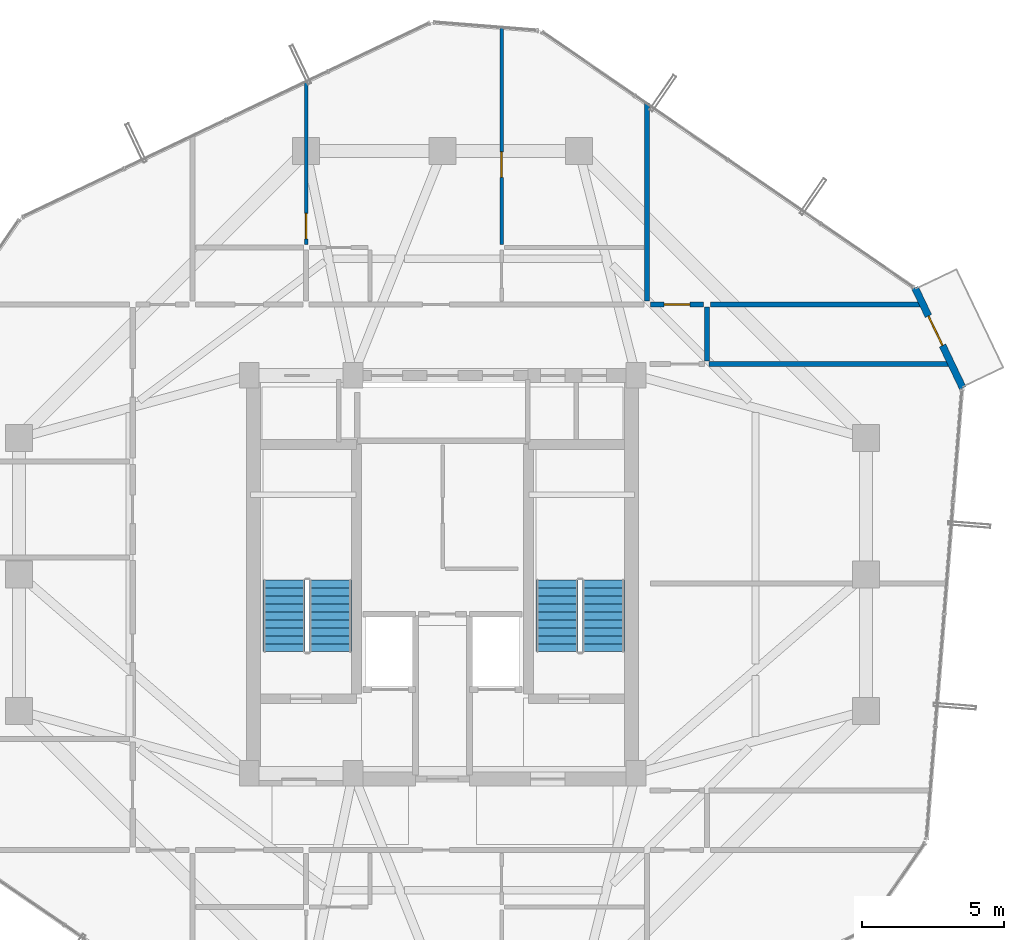
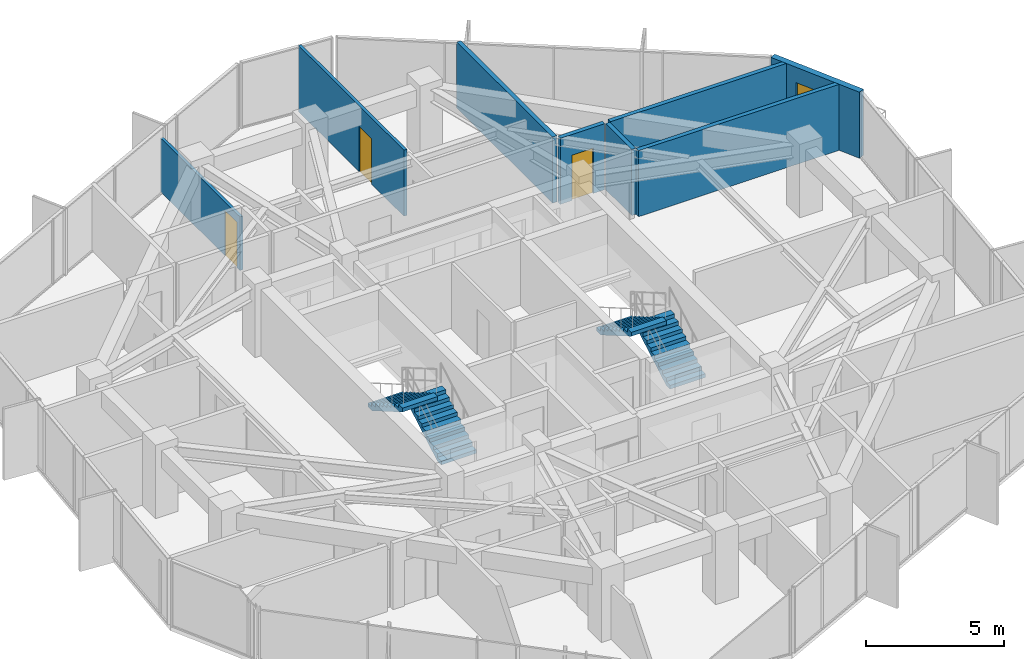
# One storey, part 27 of 29: 8 walls, 4 doors, 4 stair flights, 4 openings, 2 elements without a shape of their own.
"""IFC4 building model written with IfcOpenShell, lengths in metres."""

from ifc_helpers import new_model, si_unit, direction, frame, frame_2d, origin, place, context, subcontext, project, spatial, polyline, rectangle, outline, extrude, source, transform, mapped, material, layer, layer_set, type_object, element, fill, aggregate, save


model = new_model("IFC4")

# Units and contexts
model_context = context("Model", 3, precision=1e-05, world=origin(), true_north=direction((0.0, 1.0)))
body_context = subcontext(model_context, "Body", "Model", "MODEL_VIEW")
ifc_project = project(units=[si_unit("LENGTHUNIT", "METRE"), si_unit("AREAUNIT", "SQUARE_METRE"), si_unit("VOLUMEUNIT", "CUBIC_METRE"), si_unit("PLANEANGLEUNIT", "RADIAN"), si_unit("MASSUNIT", "GRAM", prefix="KILO")], contexts=[model_context])

# Site, building, storey
site_placement = place(None, origin())
site = spatial("IfcSite", under=ifc_project, at=site_placement, CompositionType="ELEMENT")
building_placement = place(site_placement, origin())
building = spatial("IfcBuilding", under=site, at=building_placement, Name="Veraguas Prism Commons", CompositionType="ELEMENT")
storey_placement = place(building_placement, frame((0.0, 0.0, 222.14990234375)))
storey = spatial("IfcBuildingStorey", under=building, at=storey_placement, Name="L63", CompositionType="ELEMENT", Elevation=222.14990234375)

# Walls
ifc_material_1 = material(Name="Autoclaved aerated masonry block 10 MPa", Category="masonry")
ifc_layer_1 = layer(ifc_material_1, 0.179931640625, Name="Corridor and Inter-Tenancy Partition 180", Category="masonry")
ifc_layer_set_1 = layer_set([ifc_layer_1], Name="Autoclaved aerated masonry block 10 MPa")
wall_type_1 = type_object("IfcWallType", Name="Corridor and Inter-Tenancy Partition 180", PredefinedType="PARTITIONING", material=ifc_layer_set_1)
wall_1_placement = place(storey_placement, frame((31.199951171875, 33.6201171875, 0.0), z_axis=(0.0, 0.0, 1.0), x_axis=(0.0, 1.0, 0.0)))
element("IfcWall", 1, at=wall_1_placement, inside=storey, type_object=wall_type_1, Name="WL-L63-PT014", PredefinedType="PARTITIONING", context=body_context, shape_type="SweptSolid", body=[
    extrude(rectangle(XDim=6.958984375, YDim=0.179931640625, at=frame_2d((3.4794921875, 0.0))), origin(), (0.0, 0.0, 1.0), 2.93017578125),
])
wall_2_placement = place(storey_placement, frame((33.300048828125, 31.5, 0.0), z_axis=(0.0, 0.0, 1.0), x_axis=(0.0, 1.0, 0.0)))
element("IfcWall", 2, at=wall_2_placement, inside=storey, type_object=wall_type_1, Name="WL-L63-PT036", PredefinedType="PARTITIONING", context=body_context, shape_type="SweptSolid", body=[
    extrude(rectangle(XDim=1.89990234375, YDim=0.179931640625, at=frame_2d((0.949951171875, 0.0))), origin(), (0.0, 0.0, 1.0), 2.93017578125),
])
wall_3_placement = place(storey_placement, frame((33.3798828125, 31.39990234375, 0.0), z_axis=(0.0, 0.0, 1.0), x_axis=(1.0, 0.0, 0.0)))
element("IfcWall", 3, at=wall_3_placement, inside=storey, type_object=wall_type_1, Name="WL-L63-PT040", PredefinedType="PARTITIONING", context=body_context, shape_type="SweptSolid", body=[
    extrude(rectangle(XDim=8.55419921875, YDim=0.179931640625, at=frame_2d((4.277099609375, 0.0))), origin(), (0.0, 0.0, 1.0), 2.93017578125),
])
wall_4_placement = place(storey_placement, frame((33.419921875, 33.5, 0.0), z_axis=(0.0, 0.0, 1.0), x_axis=(1.0, 0.0, 0.0)))
element("IfcWall", 4, at=wall_4_placement, inside=storey, type_object=wall_type_1, Name="WL-L63-PT046", PredefinedType="PARTITIONING", context=body_context, shape_type="SweptSolid", body=[
    extrude(rectangle(XDim=7.51318359375, YDim=0.179931640625, at=frame_2d((3.756591796875, 0.0))), origin(), (0.0, 0.0, 1.0), 2.93017578125),
])

# Wall, opening, door
wall_5_placement = place(storey_placement, frame((31.320068359375, 33.5, 0.0), z_axis=(0.0, 0.0, 1.0), x_axis=(1.0, 0.0, 0.0)))
wall_5 = element("IfcWall", 5, at=wall_5_placement, inside=storey, type_object=wall_type_1, Name="WL-L63-PT047", PredefinedType="PARTITIONING", context=body_context, shape_type="SweptSolid", body=[
    extrude(rectangle(XDim=1.85986328125, YDim=0.179931640625, at=frame_2d((0.929931640625, 0.0))), origin(), (0.0, 0.0, 1.0), 2.93017578125),
])
opening_1_placement = place(wall_5_placement, frame((0.47998046875, 0.0, 0.0)))
opening_1 = element("IfcOpeningElement", 6, at=opening_1_placement, cuts=wall_5, Name="Opening DR-14", PredefinedType="OPENING", context=body_context, shape_type="SweptSolid", body=[
    extrude(rectangle(XDim=0.89990234375, YDim=2.010009765625, at=frame_2d((0.449951171875, 1.0048828125))), frame((0.0, 0.099853515625, 0.0), z_axis=(0.0, -1.0, 0.0), x_axis=(1.0, 0.0, 0.0)), (0.0, 0.0, 1.0), 0.199951171875),
])
ifc_material_2 = material(Name="Steel fire-rated door assembly", Category="steel")
door_type_1 = type_object("IfcDoorType", Name="Core Service Room Fire Door 900x2010", OperationType="NOTDEFINED", PredefinedType="DOOR", material=ifc_material_2)
shared_shape_1 = source(origin(), body_context, "Body", "SweptSolid", [
    extrude(rectangle(XDim=0.89990234375, YDim=2.010009765625, at=frame_2d((0.449951171875, 1.0048828125))), frame((0.0, 0.02490234375, 0.0), z_axis=(0.0, -1.0, 0.0), x_axis=(1.0, 0.0, 0.0)), (0.0, 0.0, 1.0), 0.050048828125),
])
door_1_placement = place(opening_1_placement, origin())
door_1 = element("IfcDoor", 7, at=door_1_placement, inside=storey, type_object=door_type_1, Name="Residents Cycle and Pram Store NE Door", OperationType="SINGLE_SWING_LEFT", OverallHeight=2.010009765625, OverallWidth=0.89990234375, PredefinedType="DOOR", context=body_context, shape_type="MappedRepresentation", body=[
    mapped(shared_shape_1, transform((0.0, 0.0, 0.0), scale=1.0)),
])
fill(opening_1, door_1)

ifc_material_3 = material(Name="Precast concrete C40/50", Category="concrete")
ifc_layer_2 = layer(ifc_material_3, 0.25, Name="External Loggia and Portal Wall 250", Category="concrete")
ifc_layer_set_2 = layer_set([ifc_layer_2], Name="Precast concrete C40/50")
wall_type_2 = type_object("IfcWallType", Name="External Loggia and Portal Wall 250", PredefinedType="SOLIDWALL", material=ifc_layer_set_2)
wall_6_placement = place(storey_placement, frame((42.3037109375, 30.554443359375, 0.0), z_axis=(0.0, 0.0, 1.0), x_axis=(-0.43021923284, 0.902724438406, 0.0)))
wall_6 = element("IfcWall", 8, at=wall_6_placement, inside=storey, type_object=wall_type_2, Name="Corner Loggia Wall L63-C1", PredefinedType="SOLIDWALL", context=body_context, shape_type="SweptSolid", body=[
    extrude(rectangle(XDim=3.91455078125, YDim=0.25, at=frame_2d((1.957275390625, 0.0))), origin(), (0.0, 0.0, 1.0), 2.93017578125),
])
opening_2_placement = place(wall_6_placement, frame((1.659912109375, 0.0, 0.0)))
opening_2 = element("IfcOpeningElement", 9, at=opening_2_placement, cuts=wall_6, Name="Opening DR-10", PredefinedType="OPENING", context=body_context, shape_type="SweptSolid", body=[
    extrude(rectangle(XDim=1.14990234375, YDim=2.25, at=frame_2d((0.574951171875, 1.125))), frame((0.0, 0.135009765625, 0.0), z_axis=(0.0, -1.0, 0.0), x_axis=(1.0, 0.0, 0.0)), (0.0, 0.0, 1.0), 0.27001953125),
])
ifc_material_4 = material(Name="Anodised aluminium EN AW-6063 T6", Category="aluminium")
door_type_2 = type_object("IfcDoorType", Name="Glazed Loggia and Terrace Door 1150x2250", OperationType="NOTDEFINED", PredefinedType="DOOR", material=ifc_material_4)
shared_shape_2 = source(origin(), body_context, "Body", "SweptSolid", [
    extrude(rectangle(XDim=1.14990234375, YDim=2.25, at=frame_2d((0.574951171875, 1.125))), frame((0.0, 0.02490234375, 0.0), z_axis=(0.0, -1.0, 0.0), x_axis=(1.0, 0.0, 0.0)), (0.0, 0.0, 1.0), 0.050048828125),
])
door_2_placement = place(opening_2_placement, frame((1.14990234375, 0.0, 0.0), z_axis=(0.0, 0.0, 1.0), x_axis=(-1.0, 0.0, 0.0)))
door_2 = element("IfcDoor", 10, at=door_2_placement, inside=storey, type_object=door_type_2, Name="Recessed Loggia Door L63-C1", OperationType="SINGLE_SWING_LEFT", OverallHeight=2.25, OverallWidth=1.14990234375, PredefinedType="DOOR", context=body_context, shape_type="MappedRepresentation", body=[
    mapped(shared_shape_2, transform((0.0, 0.0, 0.0), scale=1.0)),
])
fill(opening_2, door_2)

ifc_material_5 = material(Name="Lightweight acoustic gypsum board")
ifc_layer_3 = layer(ifc_material_5, 0.125, Name="Internal Apartment Room Partition 125")
ifc_layer_set_3 = layer_set([ifc_layer_3], Name="Lightweight acoustic gypsum board")
wall_type_3 = type_object("IfcWallType", Name="Internal Apartment Room Partition 125", PredefinedType="PARTITIONING", material=ifc_layer_set_3)
wall_7_placement = place(storey_placement, frame((19.199951171875, 35.60009765625, 0.0), z_axis=(0.0, 0.0, 1.0), x_axis=(0.0, 1.0, 0.0)))
wall_7 = element("IfcWall", 11, at=wall_7_placement, inside=storey, type_object=wall_type_3, Name="WL-L63-PT019", PredefinedType="PARTITIONING", context=body_context, shape_type="SweptSolid", body=[
    extrude(rectangle(XDim=5.76416015625, YDim=0.125, at=frame_2d((2.882080078125, 0.0))), origin(), (0.0, 0.0, 1.0), 2.384033203125),
])
opening_3_placement = place(wall_7_placement, frame((0.199951171875, 0.0, 0.0)))
opening_3 = element("IfcOpeningElement", 12, at=opening_3_placement, cuts=wall_7, Name="Opening DR-02", PredefinedType="OPENING", context=body_context, shape_type="SweptSolid", body=[
    extrude(rectangle(XDim=0.89990234375, YDim=2.010009765625, at=frame_2d((0.449951171875, 1.0048828125))), frame((0.0, 0.072509765625, 0.0), z_axis=(0.0, -1.0, 0.0), x_axis=(1.0, 0.0, 0.0)), (0.0, 0.0, 1.0), 0.14501953125),
])
ifc_material_6 = material(Name="Timber solid core hardwood", Category="wood")
door_type_3 = type_object("IfcDoorType", Name="Internal Habitable Room Door 900x2010", OperationType="NOTDEFINED", PredefinedType="DOOR", material=ifc_material_6)
door_3_placement = place(opening_3_placement, origin())
door_3 = element("IfcDoor", 13, at=door_3_placement, inside=storey, type_object=door_type_3, Name="Flat 63B Bedroom 2 Door", OperationType="SINGLE_SWING_LEFT", OverallHeight=2.010009765625, OverallWidth=0.89990234375, PredefinedType="DOOR", context=body_context, shape_type="MappedRepresentation", body=[
    mapped(shared_shape_1, transform((0.0, 0.0, 0.0), scale=1.0)),
])
fill(opening_3, door_3)

wall_8_placement = place(storey_placement, frame((26.080078125, 35.60009765625, 0.0), z_axis=(0.0, 0.0, 1.0), x_axis=(0.0, 1.0, 0.0)))
wall_8 = element("IfcWall", 14, at=wall_8_placement, inside=storey, type_object=wall_type_3, Name="WL-L63-PT024", PredefinedType="PARTITIONING", context=body_context, shape_type="SweptSolid", body=[
    extrude(rectangle(XDim=7.6689453125, YDim=0.125, at=frame_2d((3.83447265625, 0.0))), origin(), (0.0, 0.0, 1.0), 2.93017578125),
])
opening_4_placement = place(wall_8_placement, frame((2.365478515625, 0.0, 0.0)))
opening_4 = element("IfcOpeningElement", 15, at=opening_4_placement, cuts=wall_8, Name="Opening DR-02", PredefinedType="OPENING", context=body_context, shape_type="SweptSolid", body=[
    extrude(rectangle(XDim=0.89990234375, YDim=2.010009765625, at=frame_2d((0.449951171875, 1.0048828125))), frame((0.0, 0.072509765625, 0.0), z_axis=(0.0, -1.0, 0.0), x_axis=(1.0, 0.0, 0.0)), (0.0, 0.0, 1.0), 0.14501953125),
])
door_4_placement = place(opening_4_placement, origin())
door_4 = element("IfcDoor", 16, at=door_4_placement, inside=storey, type_object=door_type_3, Name="Flat 63B Bedroom 1 Door", OperationType="SINGLE_SWING_RIGHT", OverallHeight=2.010009765625, OverallWidth=0.89990234375, PredefinedType="DOOR", context=body_context, shape_type="MappedRepresentation", body=[
    mapped(shared_shape_1, transform((0.0, 0.0, 0.0), scale=1.0)),
])
fill(opening_4, door_4)

# Stair, stair flights
ifc_material_7 = material(Name="Precast concrete C45/55", Category="concrete")
stair_type = type_object("IfcStairType", Name="Dogleg Core Stair 1480W 20R 05", PredefinedType="HALF_TURN_STAIR", material=ifc_material_7)
stair_1_placement = place(storey_placement, origin())
stair_1 = element("IfcStair", 17, at=stair_1_placement, inside=storey, type_object=stair_type, Name="Protected Exit Stair ST-01 L63", PredefinedType="HALF_TURN_STAIR")
stair_flight_type = type_object("IfcStairFlightType", Name="Precast Stair Flight 1480W 10R 05", PredefinedType="STRAIGHT", material=ifc_material_7)
stair_flight_1_placement = place(storey_placement, frame((20.06005859375, 21.280029296875, 0.0), z_axis=(0.0, 0.0, 1.0), x_axis=(0.0, 1.0, 0.0)))
stair_flight_1 = element("IfcStairFlight", 18, at=stair_flight_1_placement, type_object=stair_flight_type, Name="ST-05 Flight 1", NumberOfRisers=10, NumberOfTreads=9, PredefinedType="STRAIGHT", RiserHeight=0.1625, TreadLength=0.28, context=body_context, shape_type="SweptSolid", body=[
    extrude(outline(polyline([(0.0, 0.0), (0.0, 0.16259765625), (0.280029296875, 0.16259765625), (0.280029296875, 0.324951171875), (0.56005859375, 0.324951171875), (0.56005859375, 0.487548828125), (0.840087890625, 0.487548828125), (0.840087890625, 0.64990234375), (1.1201171875, 0.64990234375), (1.1201171875, 0.8125), (1.39990234375, 0.8125), (1.39990234375, 0.97509765625), (1.679931640625, 0.97509765625), (1.679931640625, 1.137451171875), (1.9599609375, 1.137451171875), (1.9599609375, 1.300048828125), (2.239990234375, 1.300048828125), (2.239990234375, 1.46240234375), (2.52001953125, 1.46240234375), (2.52001953125, 1.625), (2.52001953125, 1.2890625), (0.298583984375, 0.0), (0.0, 0.0)])), frame((0.0, 0.739990234375, 0.0), z_axis=(0.0, -1.0, 0.0), x_axis=(1.0, 0.0, 0.0)), (0.0, 0.0, 1.0), 1.47998046875),
])
stair_flight_2_placement = place(storey_placement, frame((18.429931640625, 23.800048828125, 1.625), z_axis=(0.0, 0.0, 1.0), x_axis=(0.0, -1.0, 0.0)))
stair_flight_2 = element("IfcStairFlight", 19, at=stair_flight_2_placement, type_object=stair_flight_type, Name="ST-05 Flight 2", NumberOfRisers=10, NumberOfTreads=9, PredefinedType="STRAIGHT", RiserHeight=0.1625, TreadLength=0.28, context=body_context, shape_type="SweptSolid", body=[
    extrude(outline(polyline([(0.0, 0.0), (0.0, 0.16259765625), (0.280029296875, 0.16259765625), (0.280029296875, 0.324951171875), (0.56005859375, 0.324951171875), (0.56005859375, 0.487548828125), (0.840087890625, 0.487548828125), (0.840087890625, 0.64990234375), (1.1201171875, 0.64990234375), (1.1201171875, 0.8125), (1.39990234375, 0.8125), (1.39990234375, 0.97509765625), (1.679931640625, 0.97509765625), (1.679931640625, 1.137451171875), (1.9599609375, 1.137451171875), (1.9599609375, 1.300048828125), (2.239990234375, 1.300048828125), (2.239990234375, 1.46240234375), (2.52001953125, 1.46240234375), (2.52001953125, 1.625), (2.52001953125, 1.2890625), (0.298583984375, 0.0), (0.0, 0.0)])), frame((0.0, 0.739990234375, 0.0), z_axis=(0.0, -1.0, 0.0), x_axis=(1.0, 0.0, 0.0)), (0.0, 0.0, 1.0), 1.47998046875),
])
aggregate(stair_1, [stair_flight_1, stair_flight_2])

stair_2_placement = place(storey_placement, origin())
stair_2 = element("IfcStair", 20, at=stair_2_placement, inside=storey, type_object=stair_type, Name="Protected Exit Stair ST-02 L63", PredefinedType="HALF_TURN_STAIR")
stair_flight_3_placement = place(storey_placement, frame((29.659912109375, 21.280029296875, 0.0), z_axis=(0.0, 0.0, 1.0), x_axis=(0.0, 1.0, 0.0)))
stair_flight_3 = element("IfcStairFlight", 21, at=stair_flight_3_placement, type_object=stair_flight_type, Name="ST-05 Flight 1", NumberOfRisers=10, NumberOfTreads=9, PredefinedType="STRAIGHT", RiserHeight=0.1625, TreadLength=0.28, context=body_context, shape_type="SweptSolid", body=[
    extrude(outline(polyline([(0.0, 0.0), (0.0, 0.16259765625), (0.280029296875, 0.16259765625), (0.280029296875, 0.324951171875), (0.56005859375, 0.324951171875), (0.56005859375, 0.487548828125), (0.840087890625, 0.487548828125), (0.840087890625, 0.64990234375), (1.1201171875, 0.64990234375), (1.1201171875, 0.8125), (1.39990234375, 0.8125), (1.39990234375, 0.97509765625), (1.679931640625, 0.97509765625), (1.679931640625, 1.137451171875), (1.9599609375, 1.137451171875), (1.9599609375, 1.300048828125), (2.239990234375, 1.300048828125), (2.239990234375, 1.46240234375), (2.52001953125, 1.46240234375), (2.52001953125, 1.625), (2.52001953125, 1.2890625), (0.298583984375, 0.0), (0.0, 0.0)])), frame((0.0, 0.739990234375, 0.0), z_axis=(0.0, -1.0, 0.0), x_axis=(1.0, 0.0, 0.0)), (0.0, 0.0, 1.0), 1.47998046875),
])
stair_flight_4_placement = place(storey_placement, frame((28.030029296875, 23.800048828125, 1.625), z_axis=(0.0, 0.0, 1.0), x_axis=(0.0, -1.0, 0.0)))
stair_flight_4 = element("IfcStairFlight", 22, at=stair_flight_4_placement, type_object=stair_flight_type, Name="ST-05 Flight 2", NumberOfRisers=10, NumberOfTreads=9, PredefinedType="STRAIGHT", RiserHeight=0.1625, TreadLength=0.28, context=body_context, shape_type="SweptSolid", body=[
    extrude(outline(polyline([(0.0, 0.0), (0.0, 0.16259765625), (0.280029296875, 0.16259765625), (0.280029296875, 0.324951171875), (0.56005859375, 0.324951171875), (0.56005859375, 0.487548828125), (0.840087890625, 0.487548828125), (0.840087890625, 0.64990234375), (1.1201171875, 0.64990234375), (1.1201171875, 0.8125), (1.39990234375, 0.8125), (1.39990234375, 0.97509765625), (1.679931640625, 0.97509765625), (1.679931640625, 1.137451171875), (1.9599609375, 1.137451171875), (1.9599609375, 1.300048828125), (2.239990234375, 1.300048828125), (2.239990234375, 1.46240234375), (2.52001953125, 1.46240234375), (2.52001953125, 1.625), (2.52001953125, 1.2890625), (0.298583984375, 0.0), (0.0, 0.0)])), frame((0.0, 0.739990234375, 0.0), z_axis=(0.0, -1.0, 0.0), x_axis=(1.0, 0.0, 0.0)), (0.0, 0.0, 1.0), 1.47998046875),
])
aggregate(stair_2, [stair_flight_3, stair_flight_4])

save(model, "model.ifc")
